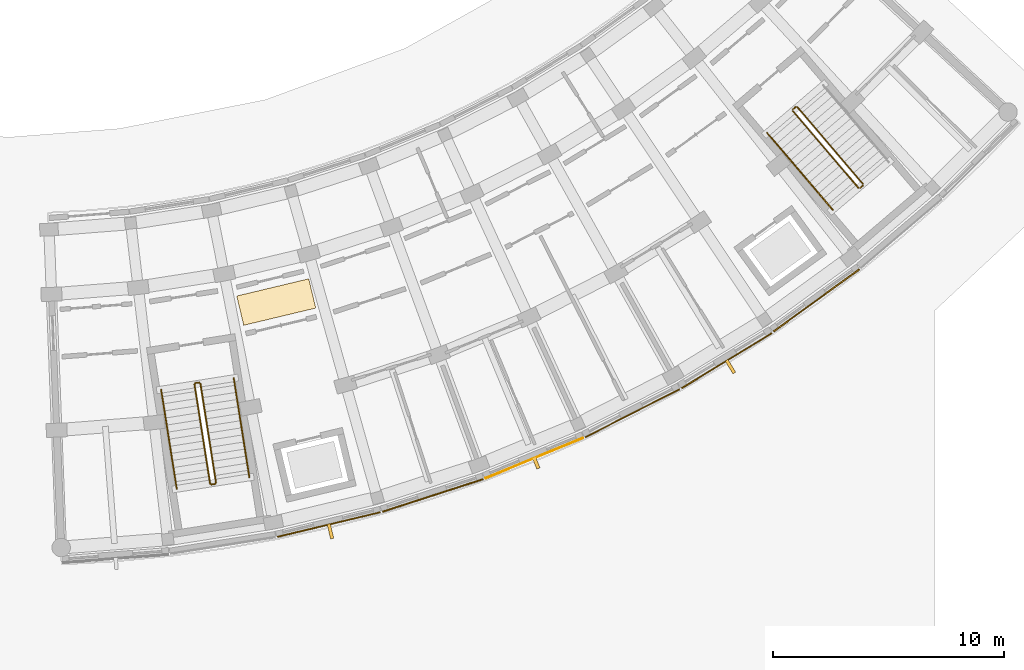
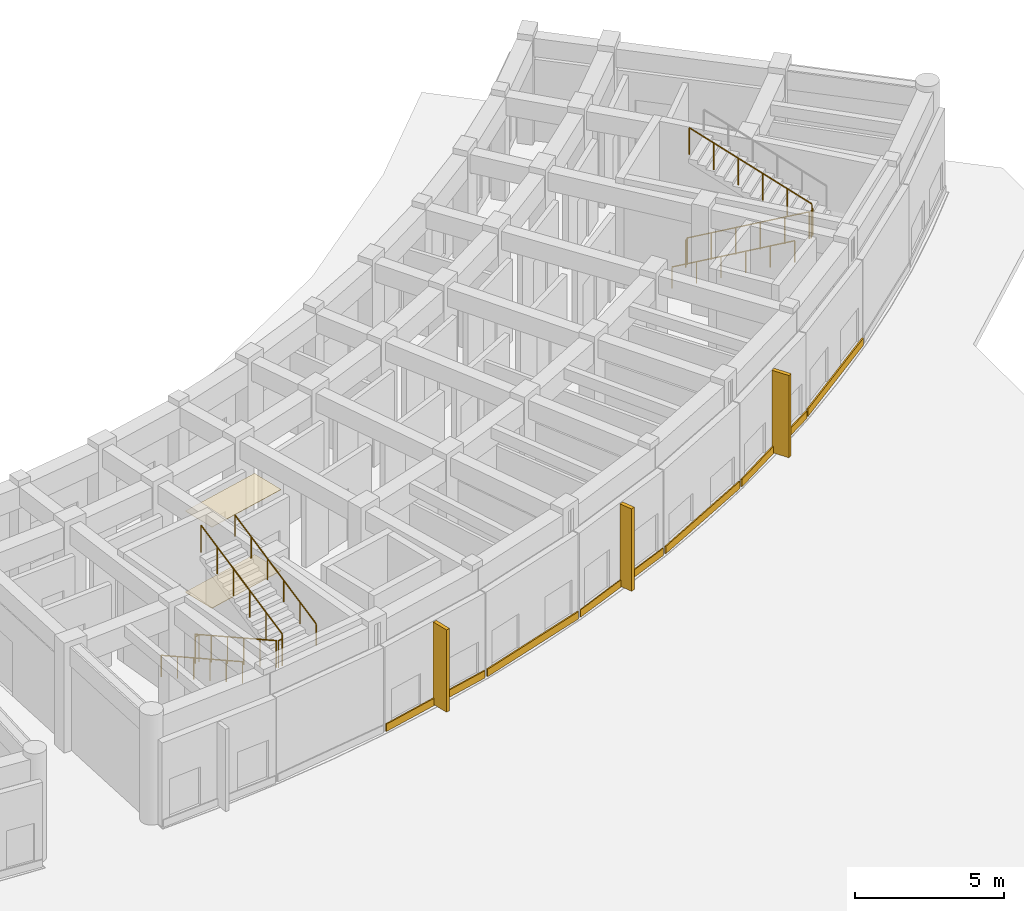
# One storey, part 59 of 61: 11 railings, 8 coverings, 3 shading devices.
"""IFC4 building model written with IfcOpenShell, lengths in metres."""

from ifc_helpers import new_model, si_unit, direction, frame, origin, origin_2d, place, context, subcontext, project, spatial, rectangle, circle, extrude, material, layer, layer_set, type_object, element, save


model = new_model("IFC4")

# Units and contexts
model_context = context("Model", 3, precision=1e-05, world=origin(), true_north=direction((0.0, 1.0)))
body_context = subcontext(model_context, "Body", "Model", "MODEL_VIEW")
ifc_project = project(units=[si_unit("LENGTHUNIT", "METRE"), si_unit("AREAUNIT", "SQUARE_METRE"), si_unit("VOLUMEUNIT", "CUBIC_METRE"), si_unit("PLANEANGLEUNIT", "RADIAN"), si_unit("MASSUNIT", "GRAM", prefix="KILO")], contexts=[model_context])

# Site, building, storey
site_placement = place(None, origin())
site = spatial("IfcSite", under=ifc_project, at=site_placement, CompositionType="ELEMENT")
building_placement = place(site_placement, origin())
building = spatial("IfcBuilding", under=site, at=building_placement, Name="Zimvara Arc Housing Community", CompositionType="ELEMENT")
storey_placement = place(building_placement, origin())
storey = spatial("IfcBuildingStorey", under=building, at=storey_placement, Name="L00", CompositionType="ELEMENT", Elevation=0.0)

# Coverings
ifc_material_1 = material(Name="Pale-Gold Anodised Aluminium Cladding", Category="aluminium")
ifc_layer_1 = layer(ifc_material_1, 0.0400390625)
ifc_layer_set_1 = layer_set([ifc_layer_1], Name="Pale-Gold Anodised Aluminium Cladding")
covering_type_1 = type_object("IfcCoveringType", Name="CLD-GOLD-01", PredefinedType="CLADDING", material=ifc_layer_set_1)
covering_1_placement = place(storey_placement, frame((148.69384765625, 54.887939453125, 0.009765625), z_axis=(0.0, 0.0, 1.0), x_axis=(0.924212468473, 0.381878662821, 0.0)))
element("IfcCovering", 1, at=covering_1_placement, inside=storey, type_object=covering_type_1, Name="cld:blkD:L00:out:b4", PredefinedType="CLADDING", context=body_context, shape_type="SweptSolid", body=[
    extrude(rectangle(XDim=4.5625, YDim=0.0400390625, at=origin_2d()), origin(), (0.0, 0.0, 1.0), 0.300048828125),
])
ifc_material_2 = material(Name="Pale-Gold Anodised Aluminium Cladding", Category="aluminium")
ifc_layer_2 = layer(ifc_material_2, 0.044921875)
ifc_layer_set_2 = layer_set([ifc_layer_2], Name="Pale-Gold Anodised Aluminium Cladding")
covering_type_2 = type_object("IfcCoveringType", Name="CLD-GOLD-02", PredefinedType="CLADDING", material=ifc_layer_set_2)
covering_2_placement = place(storey_placement, frame((152.9404296875, 56.8330078125, 0.009765625), z_axis=(0.0, 0.0, 1.0), x_axis=(0.891402366318, 0.453212777096, 0.0)))
element("IfcCovering", 2, at=covering_2_placement, inside=storey, type_object=covering_type_2, Name="cld:blkD:L00:out:b5", PredefinedType="CLADDING", context=body_context, shape_type="SweptSolid", body=[
    extrude(rectangle(XDim=4.5625, YDim=0.044921875, at=origin_2d()), origin(), (0.0, 0.0, 1.0), 0.300048828125),
])
ifc_material_3 = material(Name="Pale-Gold Anodised Aluminium Cladding", Category="aluminium")
ifc_layer_3 = layer(ifc_material_3, 0.050048828125)
ifc_layer_set_3 = layer_set([ifc_layer_3], Name="Pale-Gold Anodised Aluminium Cladding")
covering_type_3 = type_object("IfcCoveringType", Name="CLD-GOLD-03", PredefinedType="CLADDING", material=ifc_layer_set_3)
for number, where, z_axis, x_axis, name in (
    (3, (139.81298828125, 52.018798828125, 0.009765625), (0.0, 0.0, 1.0), (0.972573269632, 0.232596722241, 0.0), "cld:blkD:L00:out:b2"),
    (4, (157.021728515625, 59.105224609375, 0.009765625), (0.0, 0.0, 1.0), (0.853095805649, 0.521754296948, 0.0), "cld:blkD:L00:out:b6"),
):
    element("IfcCovering", number, at=place(storey_placement, frame(where, z_axis=z_axis, x_axis=x_axis)), inside=storey, type_object=covering_type_3, Name=name, PredefinedType="CLADDING", context=body_context, shape_type="SweptSolid", body=[
        extrude(rectangle(XDim=4.5625, YDim=0.050048828125, at=origin_2d()), origin(), (0.0, 0.0, 1.0), 0.300048828125),
    ])
ifc_material_4 = material(Name="Pale-Gold Anodised Aluminium Cladding", Category="aluminium")
ifc_layer_4 = layer(ifc_material_4, 0.054931640625)
ifc_layer_set_4 = layer_set([ifc_layer_4], Name="Pale-Gold Anodised Aluminium Cladding")
covering_type_4 = type_object("IfcCoveringType", Name="CLD-GOLD-04", PredefinedType="CLADDING", material=ifc_layer_set_4)
for number, where, z_axis, x_axis, name in (
    (5, (144.310791015625, 53.275390625, 0.009765625), (0.0, 0.0, 1.0), (0.951325822325, 0.308186923436, 0.0), "cld:blkD:L00:out:b3"),
    (6, (160.89794921875, 61.71142578125, 0.009765625), (0.0, 0.0, 1.0), (0.809529625656, 0.587079028057, 0.0), "cld:blkD:L00:out:b7"),
):
    element("IfcCovering", number, at=place(storey_placement, frame(where, z_axis=z_axis, x_axis=x_axis)), inside=storey, type_object=covering_type_4, Name=name, PredefinedType="CLADDING", context=body_context, shape_type="SweptSolid", body=[
        extrude(rectangle(XDim=4.5625, YDim=0.054931640625, at=origin_2d()), origin(), (0.0, 0.0, 1.0), 0.300048828125),
    ])
ifc_material_5 = material(Name="Perforated Acoustic Ceiling Board")
ifc_layer_5 = layer(ifc_material_5, 0.01806640625)
ifc_layer_set_5 = layer_set([ifc_layer_5], Name="Perforated Acoustic Ceiling Board")
covering_type_5 = type_object("IfcCoveringType", Name="COV-CEIL-01", PredefinedType="CEILING", material=ifc_layer_set_5)
covering_3_placement = place(storey_placement, frame((137.53955078125, 61.639404296875, 3.322021484375), z_axis=(0.0, 0.0, 1.0), x_axis=(0.232596722241, -0.972573269632, 0.0)))
element("IfcCovering", 7, at=covering_3_placement, inside=storey, type_object=covering_type_5, Name="ceil:blkD:L00", PredefinedType="CEILING", context=body_context, shape_type="SweptSolid", body=[
    extrude(rectangle(XDim=1.300048828125, YDim=3.199951171875, at=origin_2d()), origin(), (0.0, 0.0, 1.0), 0.01806640625),
])
ifc_material_6 = material(Name="Polished Coastal Sand Terrazzo")
ifc_layer_6 = layer(ifc_material_6, 0.02001953125)
ifc_layer_set_6 = layer_set([ifc_layer_6], Name="Polished Coastal Sand Terrazzo")
covering_type_6 = type_object("IfcCoveringType", Name="COV-FLOR-01", PredefinedType="FLOORING", material=ifc_layer_set_6)
covering_4_placement = place(storey_placement, frame((137.53955078125, 61.639404296875, 0.0), z_axis=(0.0, 0.0, 1.0), x_axis=(0.232596722241, -0.972573269632, 0.0)))
element("IfcCovering", 8, at=covering_4_placement, inside=storey, type_object=covering_type_6, Name="flor:blkD:L00", PredefinedType="FLOORING", context=body_context, shape_type="SweptSolid", body=[
    extrude(rectangle(XDim=1.300048828125, YDim=3.199951171875, at=origin_2d()), origin(), (0.0, 0.0, 1.0), 0.02001953125),
])

# Railings
ifc_material_7 = material(Name="Anodised Aluminium AW-6063", Category="aluminium")
railing_type_1 = type_object("IfcRailingType", Name="RLG-BAL-1120", PredefinedType="BALUSTRADE", material=ifc_material_7)
railing_1_placement = place(storey_placement, frame((134.003662109375, 58.077880859375, 0.14990234375)))
element("IfcRailing", 9, at=railing_1_placement, inside=storey, type_object=railing_type_1, Name="L00 ST-D1 stair guard 1", PredefinedType="BALUSTRADE", context=body_context, shape_type="SweptSolid", body=[
    extrude(circle(Radius=0.02392578125, at=origin_2d()), frame((0.0, 0.0, 1.09619140625), z_axis=(0.140006128907, -0.889203482729, 0.435563371017), x_axis=(0.987830374463, 0.155535048425, 0.0)), (0.0, 0.0, 1.0), 4.821533203125),
    extrude(circle(Radius=0.02099609375, at=origin_2d()), origin(), (0.0, 0.0, 1.0), 1.072021484375),
    extrude(circle(Radius=0.02099609375, at=origin_2d()), frame((0.135009765625, -0.857421875, 0.419921875)), (0.0, 0.0, 1.0), 1.072021484375),
    extrude(circle(Radius=0.02099609375, at=origin_2d()), frame((0.27001953125, -1.71484375, 0.840087890625)), (0.0, 0.0, 1.0), 1.072021484375),
    extrude(circle(Radius=0.02099609375, at=origin_2d()), frame((0.405029296875, -2.572509765625, 1.260009765625)), (0.0, 0.0, 1.0), 1.072021484375),
    extrude(circle(Radius=0.02099609375, at=origin_2d()), frame((0.5400390625, -3.429931640625, 1.68017578125)), (0.0, 0.0, 1.0), 1.072021484375),
    extrude(circle(Radius=0.02099609375, at=origin_2d()), frame((0.675048828125, -4.287353515625, 2.10009765625)), (0.0, 0.0, 1.0), 1.072021484375),
])
railing_2_placement = place(storey_placement, frame((134.73583984375, 53.7490234375, 2.25)))
element("IfcRailing", 10, at=railing_2_placement, inside=storey, type_object=railing_type_1, Name="L00 ST-D1 stair guard 2", PredefinedType="BALUSTRADE", context=body_context, shape_type="SweptSolid", body=[
    extrude(circle(Radius=0.02392578125, at=origin_2d()), frame((0.0, 0.0, 1.09619140625), z_axis=(0.987837015595, 0.155492863566, 0.0), x_axis=(-0.155492863566, 0.987837015595, 0.0)), (0.0, 0.0, 1.0), 0.16015625),
    extrude(circle(Radius=0.02099609375, at=origin_2d()), origin(), (0.0, 0.0, 1.0), 1.072021484375),
    extrude(circle(Radius=0.02099609375, at=origin_2d()), frame((0.158203125, 0.02490234375, 0.0)), (0.0, 0.0, 1.0), 1.072021484375),
])
railing_3_placement = place(storey_placement, frame((134.935546875, 53.8310546875, 2.39990234375)))
element("IfcRailing", 11, at=railing_3_placement, inside=storey, type_object=railing_type_1, Name="L00 ST-D1 stair guard 3", PredefinedType="BALUSTRADE", context=body_context, shape_type="SweptSolid", body=[
    extrude(circle(Radius=0.02392578125, at=origin_2d()), frame((0.0, 0.0, 1.09619140625), z_axis=(-0.14001243292, 0.889192883211, 0.435582982994), x_axis=(-0.987829013564, -0.155543691487, 0.0)), (0.0, 0.0, 1.0), 4.8212890625),
    extrude(circle(Radius=0.02099609375, at=origin_2d()), origin(), (0.0, 0.0, 1.0), 1.072021484375),
    extrude(circle(Radius=0.02099609375, at=origin_2d()), frame((-0.135009765625, 0.857421875, 0.419921875)), (0.0, 0.0, 1.0), 1.072021484375),
    extrude(circle(Radius=0.02099609375, at=origin_2d()), frame((-0.27001953125, 1.71484375, 0.840087890625)), (0.0, 0.0, 1.0), 1.072021484375),
    extrude(circle(Radius=0.02099609375, at=origin_2d()), frame((-0.405029296875, 2.572265625, 1.260009765625)), (0.0, 0.0, 1.0), 1.072021484375),
    extrude(circle(Radius=0.02099609375, at=origin_2d()), frame((-0.5400390625, 3.4296875, 1.68017578125)), (0.0, 0.0, 1.0), 1.072021484375),
    extrude(circle(Radius=0.02099609375, at=origin_2d()), frame((-0.675048828125, 4.287109375, 2.10009765625)), (0.0, 0.0, 1.0), 1.072021484375),
])
railing_4_placement = place(storey_placement, frame((134.045166015625, 58.135009765625, 0.0)))
element("IfcRailing", 12, at=railing_4_placement, inside=storey, type_object=railing_type_1, Name="L00 ST-D1 stair guard 4", PredefinedType="BALUSTRADE", context=body_context, shape_type="SweptSolid", body=[
    extrude(circle(Radius=0.02392578125, at=origin_2d()), frame((0.0, 0.0, 1.09619140625), z_axis=(0.987800074219, 0.155727368733, 0.0), x_axis=(-0.155727368733, 0.987800074219, 0.0)), (0.0, 0.0, 1.0), 0.159912109375),
    extrude(circle(Radius=0.02099609375, at=origin_2d()), origin(), (0.0, 0.0, 1.0), 1.072021484375),
    extrude(circle(Radius=0.02099609375, at=origin_2d()), frame((0.157958984375, 0.02490234375, 0.0)), (0.0, 0.0, 1.0), 1.072021484375),
])
railing_5_placement = place(storey_placement, frame((159.87744140625, 69.900634765625, 0.14990234375)))
element("IfcRailing", 13, at=railing_5_placement, inside=storey, type_object=railing_type_1, Name="L00 ST-D2 stair guard 1", PredefinedType="BALUSTRADE", context=body_context, shape_type="SweptSolid", body=[
    extrude(circle(Radius=0.02392578125, at=origin_2d()), frame((0.0, 0.0, 1.09619140625), z_axis=(0.58468908854, -0.685839746746, 0.433315718069), x_axis=(0.760993829299, 0.648759116906, 0.0)), (0.0, 0.0, 1.0), 4.8466796875),
    extrude(circle(Radius=0.02099609375, at=origin_2d()), origin(), (0.0, 0.0, 1.0), 1.072021484375),
    extrude(circle(Radius=0.02099609375, at=origin_2d()), frame((0.566650390625, -0.664794921875, 0.419921875)), (0.0, 0.0, 1.0), 1.072021484375),
    extrude(circle(Radius=0.02099609375, at=origin_2d()), frame((1.133544921875, -1.32958984375, 0.840087890625)), (0.0, 0.0, 1.0), 1.072021484375),
    extrude(circle(Radius=0.02099609375, at=origin_2d()), frame((1.7001953125, -1.994384765625, 1.260009765625)), (0.0, 0.0, 1.0), 1.072021484375),
    extrude(circle(Radius=0.02099609375, at=origin_2d()), frame((2.26708984375, -2.6591796875, 1.68017578125)), (0.0, 0.0, 1.0), 1.072021484375),
    extrude(circle(Radius=0.02099609375, at=origin_2d()), frame((2.833740234375, -3.323974609375, 2.10009765625)), (0.0, 0.0, 1.0), 1.072021484375),
])
railing_6_placement = place(storey_placement, frame((162.78173828125, 66.571044921875, 2.25)))
element("IfcRailing", 14, at=railing_6_placement, inside=storey, type_object=railing_type_1, Name="L00 ST-D2 stair guard 2", PredefinedType="BALUSTRADE", context=body_context, shape_type="SweptSolid", body=[
    extrude(circle(Radius=0.02392578125, at=origin_2d()), frame((0.0, 0.0, 1.09619140625), z_axis=(0.760546145078, 0.649283883373, 0.0), x_axis=(-0.649283883373, 0.760546145078, 0.0)), (0.0, 0.0, 1.0), 0.16015625),
    extrude(circle(Radius=0.02099609375, at=origin_2d()), origin(), (0.0, 0.0, 1.0), 1.072021484375),
    extrude(circle(Radius=0.02099609375, at=origin_2d()), frame((0.121826171875, 0.10400390625, 0.0)), (0.0, 0.0, 1.0), 1.072021484375),
])
railing_7_placement = place(storey_placement, frame((162.9091796875, 66.745361328125, 2.39990234375)))
element("IfcRailing", 15, at=railing_7_placement, inside=storey, type_object=railing_type_1, Name="L00 ST-D2 stair guard 3", PredefinedType="BALUSTRADE", context=body_context, shape_type="SweptSolid", body=[
    extrude(circle(Radius=0.02392578125, at=origin_2d()), frame((0.0, 0.0, 1.09619140625), z_axis=(-0.584722240044, 0.685819546709, 0.433302955622), x_axis=(-0.760966234758, -0.648791483883, 0.0)), (0.0, 0.0, 1.0), 4.8466796875),
    extrude(circle(Radius=0.02099609375, at=origin_2d()), origin(), (0.0, 0.0, 1.0), 1.072021484375),
    extrude(circle(Radius=0.02099609375, at=origin_2d()), frame((-0.56689453125, 0.664794921875, 0.419921875)), (0.0, 0.0, 1.0), 1.072021484375),
    extrude(circle(Radius=0.02099609375, at=origin_2d()), frame((-1.133544921875, 1.32958984375, 0.840087890625)), (0.0, 0.0, 1.0), 1.072021484375),
    extrude(circle(Radius=0.02099609375, at=origin_2d()), frame((-1.700439453125, 1.994384765625, 1.260009765625)), (0.0, 0.0, 1.0), 1.072021484375),
    extrude(circle(Radius=0.02099609375, at=origin_2d()), frame((-2.26708984375, 2.6591796875, 1.68017578125)), (0.0, 0.0, 1.0), 1.072021484375),
    extrude(circle(Radius=0.02099609375, at=origin_2d()), frame((-2.833984375, 3.323974609375, 2.10009765625)), (0.0, 0.0, 1.0), 1.072021484375),
])
railing_8_placement = place(storey_placement, frame((159.883056640625, 69.97119140625, 0.0)))
element("IfcRailing", 16, at=railing_8_placement, inside=storey, type_object=railing_type_1, Name="L00 ST-D2 stair guard 4", PredefinedType="BALUSTRADE", context=body_context, shape_type="SweptSolid", body=[
    extrude(circle(Radius=0.02392578125, at=origin_2d()), frame((0.0, 0.0, 1.09619140625), z_axis=(0.760656476318, 0.649154623364, 0.0), x_axis=(-0.649154623364, 0.760656476318, 0.0)), (0.0, 0.0, 1.0), 0.159912109375),
    extrude(circle(Radius=0.02099609375, at=origin_2d()), origin(), (0.0, 0.0, 1.0), 1.072021484375),
    extrude(circle(Radius=0.02099609375, at=origin_2d()), frame((0.12158203125, 0.103759765625, 0.0)), (0.0, 0.0, 1.0), 1.072021484375),
])
ifc_material_8 = material(Name="Anodised Aluminium AW-6063", Category="aluminium")
railing_type_2 = type_object("IfcRailingType", Name="RLG-HND-900", PredefinedType="HANDRAIL", material=ifc_material_8)
railing_9_placement = place(storey_placement, frame((132.561279296875, 57.8505859375, 0.14990234375)))
element("IfcRailing", 17, at=railing_9_placement, inside=storey, type_object=railing_type_2, Name="L00 ST-D1 stair handrail 1", PredefinedType="HANDRAIL", context=body_context, shape_type="SweptSolid", body=[
    extrude(circle(Radius=0.02392578125, at=origin_2d()), frame((0.0, 0.0, 0.8759765625), z_axis=(0.140062077131, -0.889186577879, 0.435579894244), x_axis=(0.987820368578, 0.155598584253, 0.0)), (0.0, 0.0, 1.0), 4.8212890625),
    extrude(circle(Radius=0.02099609375, at=origin_2d()), origin(), (0.0, 0.0, 1.0), 0.851806640625),
    extrude(circle(Radius=0.02099609375, at=origin_2d()), frame((0.135009765625, -0.857421875, 0.419921875)), (0.0, 0.0, 1.0), 0.851806640625),
    extrude(circle(Radius=0.02099609375, at=origin_2d()), frame((0.27001953125, -1.71484375, 0.840087890625)), (0.0, 0.0, 1.0), 0.851806640625),
    extrude(circle(Radius=0.02099609375, at=origin_2d()), frame((0.4052734375, -2.572265625, 1.260009765625)), (0.0, 0.0, 1.0), 0.851806640625),
    extrude(circle(Radius=0.02099609375, at=origin_2d()), frame((0.540283203125, -3.4296875, 1.68017578125)), (0.0, 0.0, 1.0), 0.851806640625),
    extrude(circle(Radius=0.02099609375, at=origin_2d()), frame((0.67529296875, -4.287109375, 2.10009765625)), (0.0, 0.0, 1.0), 0.851806640625),
])
railing_10_placement = place(storey_placement, frame((136.3779296875, 54.05810546875, 2.39990234375)))
element("IfcRailing", 18, at=railing_10_placement, inside=storey, type_object=railing_type_2, Name="L00 ST-D1 stair handrail 2", PredefinedType="HANDRAIL", context=body_context, shape_type="SweptSolid", body=[
    extrude(circle(Radius=0.02392578125, at=origin_2d()), frame((0.0, 0.0, 0.8759765625), z_axis=(-0.140055770972, 0.889197177889, 0.435560282683), x_axis=(-0.987821730426, -0.155589938293, 0.0)), (0.0, 0.0, 1.0), 4.821533203125),
    extrude(circle(Radius=0.02099609375, at=origin_2d()), origin(), (0.0, 0.0, 1.0), 0.851806640625),
    extrude(circle(Radius=0.02099609375, at=origin_2d()), frame((-0.135009765625, 0.857421875, 0.419921875)), (0.0, 0.0, 1.0), 0.851806640625),
    extrude(circle(Radius=0.02099609375, at=origin_2d()), frame((-0.27001953125, 1.71484375, 0.840087890625)), (0.0, 0.0, 1.0), 0.851806640625),
    extrude(circle(Radius=0.02099609375, at=origin_2d()), frame((-0.4052734375, 2.572509765625, 1.260009765625)), (0.0, 0.0, 1.0), 0.851806640625),
    extrude(circle(Radius=0.02099609375, at=origin_2d()), frame((-0.540283203125, 3.429931640625, 1.68017578125)), (0.0, 0.0, 1.0), 0.851806640625),
    extrude(circle(Radius=0.02099609375, at=origin_2d()), frame((-0.67529296875, 4.287353515625, 2.10009765625)), (0.0, 0.0, 1.0), 0.851806640625),
])
railing_11_placement = place(storey_placement, frame((158.766357421875, 68.953369140625, 0.14990234375)))
element("IfcRailing", 19, at=railing_11_placement, inside=storey, type_object=railing_type_2, Name="L00 ST-D2 stair handrail 1", PredefinedType="HANDRAIL", context=body_context, shape_type="SweptSolid", body=[
    extrude(circle(Radius=0.02392578125, at=origin_2d()), frame((0.0, 0.0, 0.8759765625), z_axis=(0.584742440363, -0.685792865533, 0.43331792488), x_axis=(0.760942706719, 0.648819078859, 0.0)), (0.0, 0.0, 1.0), 4.846435546875),
    extrude(circle(Radius=0.02099609375, at=origin_2d()), origin(), (0.0, 0.0, 1.0), 0.851806640625),
    extrude(circle(Radius=0.02099609375, at=origin_2d()), frame((0.56689453125, -0.664794921875, 0.419921875)), (0.0, 0.0, 1.0), 0.851806640625),
    extrude(circle(Radius=0.02099609375, at=origin_2d()), frame((1.133544921875, -1.32958984375, 0.840087890625)), (0.0, 0.0, 1.0), 0.851806640625),
    extrude(circle(Radius=0.02099609375, at=origin_2d()), frame((1.700439453125, -1.994140625, 1.260009765625)), (0.0, 0.0, 1.0), 0.851806640625),
    extrude(circle(Radius=0.02099609375, at=origin_2d()), frame((2.26708984375, -2.658935546875, 1.68017578125)), (0.0, 0.0, 1.0), 0.851806640625),
    extrude(circle(Radius=0.02099609375, at=origin_2d()), frame((2.833984375, -3.32373046875, 2.10009765625)), (0.0, 0.0, 1.0), 0.851806640625),
])

# Shading devices
ifc_material_9 = material(Name="Board-Marked Fair-Faced Concrete C40/50", Category="concrete")
shading_device_type_1 = type_object("IfcShadingDeviceType", Name="SHD-FIN-02", PredefinedType="JALOUSIE", material=ifc_material_9)
for number, where, z_axis, x_axis, name in (
    (20, (139.882568359375, 51.72802734375, 0.0400390625), (0.0, 0.0, 1.0), (0.972573269632, 0.232596722241, 0.0), "fin:blkD:L00:out:b2"),
    (21, (157.177734375, 58.850341796875, 0.0400390625), (0.0, 0.0, 1.0), (0.853095805649, 0.521754296948, 0.0), "fin:blkD:L00:out:b6"),
):
    element("IfcShadingDevice", number, at=place(storey_placement, frame(where, z_axis=z_axis, x_axis=x_axis)), inside=storey, type_object=shading_device_type_1, Name=name, PredefinedType="JALOUSIE", context=body_context, shape_type="SweptSolid", body=[
        extrude(rectangle(XDim=0.139892578125, YDim=0.64990234375, at=origin_2d()), origin(), (0.0, 0.0, 1.0), 3.3701171875),
    ])
ifc_material_10 = material(Name="Board-Marked Fair-Faced Concrete C40/50", Category="concrete")
shading_device_type_2 = type_object("IfcShadingDeviceType", Name="SHD-FIN-04", PredefinedType="JALOUSIE", material=ifc_material_10)
shading_device_placement = place(storey_placement, frame((148.781494140625, 54.676513671875, 0.0400390625), z_axis=(0.0, 0.0, 1.0), x_axis=(0.924212468473, 0.381878662821, 0.0)))
element("IfcShadingDevice", 22, at=shading_device_placement, inside=storey, type_object=shading_device_type_2, Name="fin:blkD:L00:out:b4", PredefinedType="JALOUSIE", context=body_context, shape_type="SweptSolid", body=[
    extrude(rectangle(XDim=0.14990234375, YDim=0.5, at=origin_2d()), origin(), (0.0, 0.0, 1.0), 3.3701171875),
])

save(model, "model.ifc")
